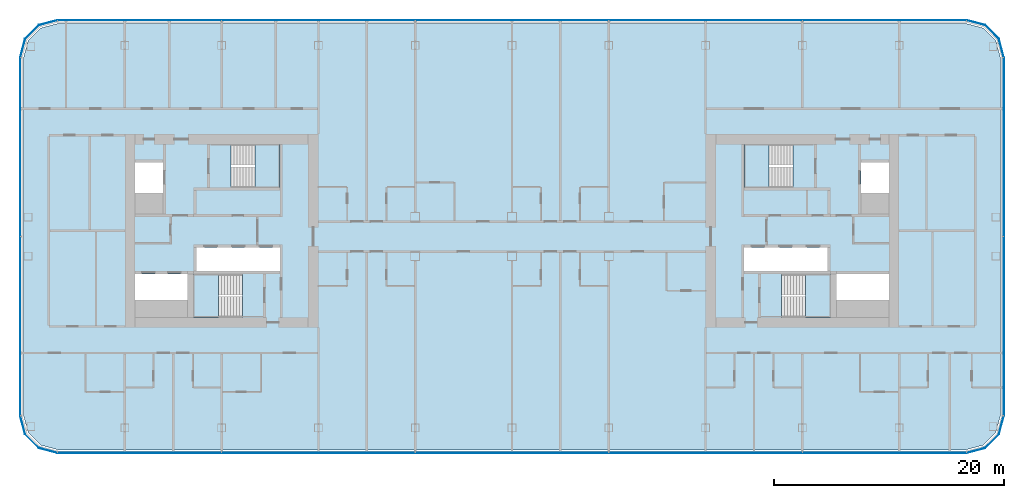
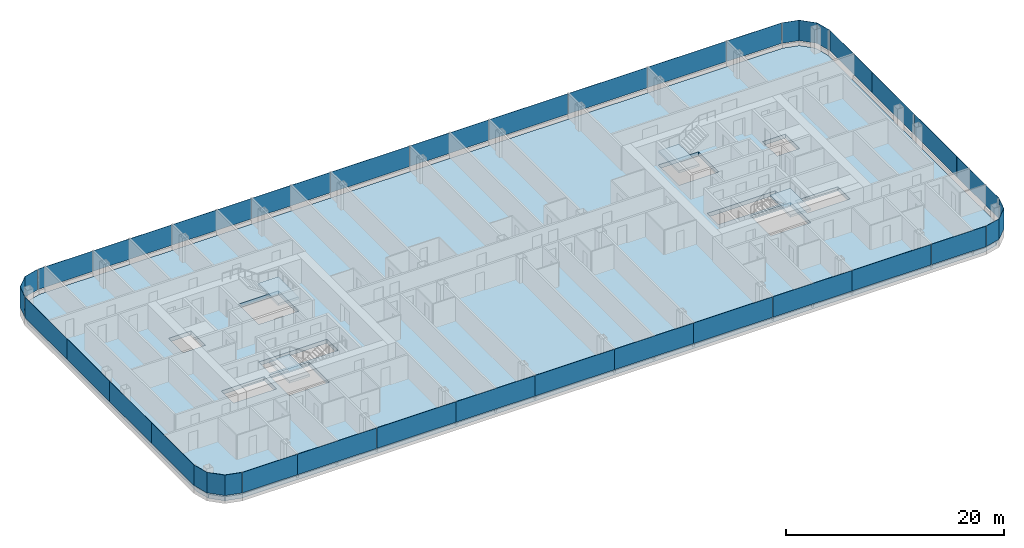
# One storey, part 11 of 26: 32 plates, 5 slabs, 12 elements without a shape of their own.
"""IFC4 building model written with IfcOpenShell, lengths in metres."""

from ifc_helpers import new_model, si_unit, direction, frame, origin, origin_2d, place, context, subcontext, project, spatial, polyline, rectangle, outline, extrude, material, layer, layer_set, type_object, element, aggregate, save


model = new_model("IFC4")

# Units and contexts
model_context = context("Model", 3, precision=1e-05, world=origin(), true_north=direction((0.0, 1.0)))
body_context = subcontext(model_context, "Body", "Model", "MODEL_VIEW")
ifc_project = project(units=[si_unit("LENGTHUNIT", "METRE"), si_unit("AREAUNIT", "SQUARE_METRE"), si_unit("VOLUMEUNIT", "CUBIC_METRE"), si_unit("PLANEANGLEUNIT", "RADIAN"), si_unit("MASSUNIT", "GRAM", prefix="KILO")], contexts=[model_context])

# Site, building, storey
site_placement = place(None, origin())
site = spatial("IfcSite", under=ifc_project, at=site_placement, CompositionType="ELEMENT")
building_placement = place(site_placement, origin())
building = spatial("IfcBuilding", under=site, at=building_placement, Name="Hakoniwa Tower and Hamabe Station Hall", CompositionType="ELEMENT")
storey_placement = place(building_placement, frame((0.0, 0.0, 140.60009765625)))
storey = spatial("IfcBuildingStorey", under=building, at=storey_placement, Name="L39", CompositionType="ELEMENT", Elevation=140.60009765625)

# Stair, slab
ifc_material_1 = material(Name="Concrete C40", Category="concrete")
stair_type = type_object("IfcStairType", Name="ESCAPE STAIR 1800", PredefinedType="HALF_TURN_STAIR", material=ifc_material_1)
stair_1_placement = place(storey_placement, origin())
stair_1 = element("IfcStair", 1, at=stair_1_placement, inside=storey, type_object=stair_type, Name="Escape stair ST-1 L39", PredefinedType="HALF_TURN_STAIR")
ifc_material_2 = material(Name="Concrete C40", Category="concrete")
ifc_layer_1 = layer(ifc_material_2, 0.25)
ifc_layer_set_1 = layer_set([ifc_layer_1], Name="CORE STAIR LANDING 250")
slab_type_1 = type_object("IfcSlabType", Name="CORE STAIR LANDING 250", PredefinedType="LANDING", material=ifc_layer_set_1)
slab_1_placement = place(storey_placement, frame((0.0, 0.0, 1.349853515625)))
slab_1 = element("IfcSlab", 2, at=slab_1_placement, type_object=slab_type_1, Name="ST-1 landing 1", PredefinedType="LANDING", context=body_context, shape_type="SweptSolid", body=[
    extrude(outline(polyline([(-22.320068359375, 3.75), (-20.14990234375, 3.75), (-20.14990234375, 7.5), (-22.320068359375, 7.5), (-22.320068359375, 3.75)])), origin(), (0.0, 0.0, 1.0), 0.25),
])
aggregate(stair_1, [slab_1])

stair_2_placement = place(storey_placement, origin())
stair_2 = element("IfcStair", 3, at=stair_2_placement, inside=storey, type_object=stair_type, Name="Escape stair ST-2 L39", PredefinedType="HALF_TURN_STAIR")
slab_2_placement = place(storey_placement, frame((0.0, 0.0, 1.349853515625)))
slab_2 = element("IfcSlab", 4, at=slab_2_placement, type_object=slab_type_1, Name="ST-2 landing 1", PredefinedType="LANDING", context=body_context, shape_type="SweptSolid", body=[
    extrude(outline(polyline([(-25.47998046875, -7.5), (-27.64990234375, -7.5), (-27.64990234375, -3.75), (-25.47998046875, -3.75), (-25.47998046875, -7.5)])), origin(), (0.0, 0.0, 1.0), 0.25),
])
aggregate(stair_2, [slab_2])

stair_3_placement = place(storey_placement, origin())
stair_3 = element("IfcStair", 5, at=stair_3_placement, inside=storey, type_object=stair_type, Name="Escape stair ST-3 L39", PredefinedType="HALF_TURN_STAIR")
slab_3_placement = place(storey_placement, frame((0.0, 0.0, 1.349853515625)))
slab_3 = element("IfcSlab", 6, at=slab_3_placement, type_object=slab_type_1, Name="ST-3 landing 1", PredefinedType="LANDING", context=body_context, shape_type="SweptSolid", body=[
    extrude(outline(polyline([(22.320068359375, 3.75), (20.14990234375, 3.75), (20.14990234375, 7.5), (22.320068359375, 7.5), (22.320068359375, 3.75)])), origin(), (0.0, 0.0, 1.0), 0.25),
])
aggregate(stair_3, [slab_3])

stair_4_placement = place(storey_placement, origin())
stair_4 = element("IfcStair", 7, at=stair_4_placement, inside=storey, type_object=stair_type, Name="Escape stair ST-4 L39", PredefinedType="HALF_TURN_STAIR")
slab_4_placement = place(storey_placement, frame((0.0, 0.0, 1.349853515625)))
slab_4 = element("IfcSlab", 8, at=slab_4_placement, type_object=slab_type_1, Name="ST-4 landing 1", PredefinedType="LANDING", context=body_context, shape_type="SweptSolid", body=[
    extrude(outline(polyline([(25.47998046875, -7.5), (27.64990234375, -7.5), (27.64990234375, -3.75), (25.47998046875, -3.75), (25.47998046875, -7.5)])), origin(), (0.0, 0.0, 1.0), 0.25),
])
aggregate(stair_4, [slab_4])

# Curtain wall, plates
ifc_material_3 = material(Name="Dark low-e laminated glass", Category="glass")
ifc_layer_2 = layer(ifc_material_3, 0.199951171875)
ifc_layer_set_2 = layer_set([ifc_layer_2], Name="CW-1 UNITISED GUEST")
curtain_wall_type = type_object("IfcCurtainWallType", Name="CW-1 UNITISED GUEST", PredefinedType="NOTDEFINED", material=ifc_layer_set_2)
curtain_wall_1_placement = place(storey_placement, origin())
curtain_wall_1 = element("IfcCurtainWall", 9, at=curtain_wall_1_placement, inside=storey, type_object=curtain_wall_type, Name="CW-1 curtain wall", PredefinedType="NOTDEFINED")
ifc_material_4 = material(Name="Dark low-e laminated glass", Category="glass")
ifc_layer_3 = layer(ifc_material_4, 0.028076171875)
ifc_layer_set_3 = layer_set([ifc_layer_3], Name="CW-1 GLASS UNIT")
plate_type = type_object("IfcPlateType", Name="CW-1 GLASS UNIT", PredefinedType="CURTAIN_PANEL", material=ifc_layer_set_3)
plate_1_placement = place(storey_placement, frame((42.68603515625, -12.154541015625, 0.35009765625), z_axis=(0.0, 0.0, 1.0), x_axis=(0.0, 1.0, 0.0)))
plate_1 = element("IfcPlate", 10, at=plate_1_placement, type_object=plate_type, Name="CW-1 glass unit", PredefinedType="CURTAIN_PANEL", context=body_context, shape_type="SweptSolid", body=[
    extrude(rectangle(XDim=7.749755859375, YDim=0.028076171875, at=origin_2d()), origin(), (0.0, 0.0, 1.0), 2.300048828125),
])
plate_2_placement = place(storey_placement, frame((42.68603515625, -4.384765625, 0.35009765625), z_axis=(0.0, 0.0, 1.0), x_axis=(0.0, 1.0, 0.0)))
plate_2 = element("IfcPlate", 11, at=plate_2_placement, type_object=plate_type, Name="CW-1 glass unit", PredefinedType="CURTAIN_PANEL", context=body_context, shape_type="SweptSolid", body=[
    extrude(rectangle(XDim=7.749755859375, YDim=0.028076171875, at=origin_2d()), origin(), (0.0, 0.0, 1.0), 2.300048828125),
])
plate_3_placement = place(storey_placement, frame((42.68603515625, 3.384765625, 0.35009765625), z_axis=(0.0, 0.0, 1.0), x_axis=(0.0, 1.0, 0.0)))
plate_3 = element("IfcPlate", 12, at=plate_3_placement, type_object=plate_type, Name="CW-1 glass unit", PredefinedType="CURTAIN_PANEL", context=body_context, shape_type="SweptSolid", body=[
    extrude(rectangle(XDim=7.749755859375, YDim=0.028076171875, at=origin_2d()), origin(), (0.0, 0.0, 1.0), 2.300048828125),
])
plate_4_placement = place(storey_placement, frame((42.68603515625, 11.154541015625, 0.35009765625), z_axis=(0.0, 0.0, 1.0), x_axis=(0.0, 1.0, 0.0)))
plate_4 = element("IfcPlate", 13, at=plate_4_placement, type_object=plate_type, Name="CW-1 glass unit", PredefinedType="CURTAIN_PANEL", context=body_context, shape_type="SweptSolid", body=[
    extrude(rectangle(XDim=7.749755859375, YDim=0.028076171875, at=origin_2d()), origin(), (0.0, 0.0, 1.0), 2.300048828125),
])
aggregate(curtain_wall_1, [plate_1, plate_2, plate_3, plate_4])

# Curtain wall, plate
curtain_wall_2_placement = place(storey_placement, origin())
curtain_wall_2 = element("IfcCurtainWall", 14, at=curtain_wall_2_placement, inside=storey, type_object=curtain_wall_type, Name="CW-1 curtain wall", PredefinedType="NOTDEFINED")
plate_5_placement = place(storey_placement, frame((0.0, 0.0, 0.349853515625)))
plate_5 = element("IfcPlate", 15, at=plate_5_placement, type_object=plate_type, Name="CW-1 curved corner unit", PredefinedType="CURTAIN_PANEL", context=body_context, shape_type="SweptSolid", body=[
    extrude(outline(polyline([(42.689697265625, 15.078125), (42.26708984375, 16.6552734375), (41.05517578125, 17.866943359375), (39.47802734375, 18.28955078125), (39.470947265625, 18.2626953125), (41.040771484375, 17.842041015625), (42.241943359375, 16.640869140625), (42.66259765625, 15.07080078125), (42.689697265625, 15.078125)])), origin(), (0.0, 0.0, 1.0), 2.300048828125),
])
aggregate(curtain_wall_2, [plate_5])

# Curtain wall, plates
curtain_wall_3_placement = place(storey_placement, origin())
curtain_wall_3 = element("IfcCurtainWall", 16, at=curtain_wall_3_placement, inside=storey, type_object=curtain_wall_type, Name="CW-1 curtain wall", PredefinedType="NOTDEFINED")
plate_6_placement = place(storey_placement, frame((36.519775390625, 18.285888671875, 0.35009765625), z_axis=(0.0, 0.0, 1.0), x_axis=(-1.0, 0.0, 0.0)))
plate_6 = element("IfcPlate", 17, at=plate_6_placement, type_object=plate_type, Name="CW-1 glass unit", PredefinedType="CURTAIN_PANEL", context=body_context, shape_type="SweptSolid", body=[
    extrude(rectangle(XDim=5.819580078125, YDim=0.028076171875, at=origin_2d()), origin(), (0.0, 0.0, 1.0), 2.300048828125),
])
plate_7_placement = place(storey_placement, frame((29.39990234375, 18.285888671875, 0.35009765625), z_axis=(0.0, 0.0, 1.0), x_axis=(-1.0, 0.0, 0.0)))
plate_7 = element("IfcPlate", 18, at=plate_7_placement, type_object=plate_type, Name="CW-1 glass unit", PredefinedType="CURTAIN_PANEL", context=body_context, shape_type="SweptSolid", body=[
    extrude(rectangle(XDim=8.3798828125, YDim=0.028076171875, at=origin_2d()), origin(), (0.0, 0.0, 1.0), 2.300048828125),
])
plate_8_placement = place(storey_placement, frame((21.0, 18.285888671875, 0.35009765625), z_axis=(0.0, 0.0, 1.0), x_axis=(-1.0, 0.0, 0.0)))
plate_8 = element("IfcPlate", 19, at=plate_8_placement, type_object=plate_type, Name="CW-1 glass unit", PredefinedType="CURTAIN_PANEL", context=body_context, shape_type="SweptSolid", body=[
    extrude(rectangle(XDim=8.3798828125, YDim=0.028076171875, at=origin_2d()), origin(), (0.0, 0.0, 1.0), 2.300048828125),
])
plate_9_placement = place(storey_placement, frame((12.60009765625, 18.285888671875, 0.35009765625), z_axis=(0.0, 0.0, 1.0), x_axis=(-1.0, 0.0, 0.0)))
plate_9 = element("IfcPlate", 20, at=plate_9_placement, type_object=plate_type, Name="CW-1 glass unit", PredefinedType="CURTAIN_PANEL", context=body_context, shape_type="SweptSolid", body=[
    extrude(rectangle(XDim=8.3798828125, YDim=0.028076171875, at=origin_2d()), origin(), (0.0, 0.0, 1.0), 2.300048828125),
])
plate_10_placement = place(storey_placement, frame((4.199951171875, 18.285888671875, 0.35009765625), z_axis=(0.0, 0.0, 1.0), x_axis=(-1.0, 0.0, 0.0)))
plate_10 = element("IfcPlate", 21, at=plate_10_placement, type_object=plate_type, Name="CW-1 glass unit", PredefinedType="CURTAIN_PANEL", context=body_context, shape_type="SweptSolid", body=[
    extrude(rectangle(XDim=8.3798828125, YDim=0.028076171875, at=origin_2d()), origin(), (0.0, 0.0, 1.0), 2.300048828125),
])
plate_11_placement = place(storey_placement, frame((-4.199951171875, 18.285888671875, 0.35009765625), z_axis=(0.0, 0.0, 1.0), x_axis=(-1.0, 0.0, 0.0)))
plate_11 = element("IfcPlate", 22, at=plate_11_placement, type_object=plate_type, Name="CW-1 glass unit", PredefinedType="CURTAIN_PANEL", context=body_context, shape_type="SweptSolid", body=[
    extrude(rectangle(XDim=8.3798828125, YDim=0.028076171875, at=origin_2d()), origin(), (0.0, 0.0, 1.0), 2.300048828125),
])
plate_12_placement = place(storey_placement, frame((-12.60009765625, 18.285888671875, 0.35009765625), z_axis=(0.0, 0.0, 1.0), x_axis=(-1.0, 0.0, 0.0)))
plate_12 = element("IfcPlate", 23, at=plate_12_placement, type_object=plate_type, Name="CW-1 glass unit", PredefinedType="CURTAIN_PANEL", context=body_context, shape_type="SweptSolid", body=[
    extrude(rectangle(XDim=8.3798828125, YDim=0.028076171875, at=origin_2d()), origin(), (0.0, 0.0, 1.0), 2.300048828125),
])
plate_13_placement = place(storey_placement, frame((-21.0, 18.285888671875, 0.35009765625), z_axis=(0.0, 0.0, 1.0), x_axis=(-1.0, 0.0, 0.0)))
plate_13 = element("IfcPlate", 24, at=plate_13_placement, type_object=plate_type, Name="CW-1 glass unit", PredefinedType="CURTAIN_PANEL", context=body_context, shape_type="SweptSolid", body=[
    extrude(rectangle(XDim=8.3798828125, YDim=0.028076171875, at=origin_2d()), origin(), (0.0, 0.0, 1.0), 2.300048828125),
])
plate_14_placement = place(storey_placement, frame((-29.39990234375, 18.285888671875, 0.35009765625), z_axis=(0.0, 0.0, 1.0), x_axis=(-1.0, 0.0, 0.0)))
plate_14 = element("IfcPlate", 25, at=plate_14_placement, type_object=plate_type, Name="CW-1 glass unit", PredefinedType="CURTAIN_PANEL", context=body_context, shape_type="SweptSolid", body=[
    extrude(rectangle(XDim=8.3798828125, YDim=0.028076171875, at=origin_2d()), origin(), (0.0, 0.0, 1.0), 2.300048828125),
])
plate_15_placement = place(storey_placement, frame((-36.519775390625, 18.285888671875, 0.35009765625), z_axis=(0.0, 0.0, 1.0), x_axis=(-1.0, 0.0, 0.0)))
plate_15 = element("IfcPlate", 26, at=plate_15_placement, type_object=plate_type, Name="CW-1 glass unit", PredefinedType="CURTAIN_PANEL", context=body_context, shape_type="SweptSolid", body=[
    extrude(rectangle(XDim=5.819580078125, YDim=0.028076171875, at=origin_2d()), origin(), (0.0, 0.0, 1.0), 2.300048828125),
])
aggregate(curtain_wall_3, [plate_6, plate_7, plate_8, plate_9, plate_10, plate_11, plate_12, plate_13, plate_14, plate_15])

# Curtain wall, plate
curtain_wall_4_placement = place(storey_placement, origin())
curtain_wall_4 = element("IfcCurtainWall", 27, at=curtain_wall_4_placement, inside=storey, type_object=curtain_wall_type, Name="CW-1 curtain wall", PredefinedType="NOTDEFINED")
plate_16_placement = place(storey_placement, frame((0.0, 0.0, 0.349853515625)))
plate_16 = element("IfcPlate", 28, at=plate_16_placement, type_object=plate_type, Name="CW-1 curved corner unit", PredefinedType="CURTAIN_PANEL", context=body_context, shape_type="SweptSolid", body=[
    extrude(outline(polyline([(-39.47802734375, 18.28955078125), (-41.05517578125, 17.866943359375), (-42.26708984375, 16.6552734375), (-42.689697265625, 15.078125), (-42.66259765625, 15.07080078125), (-42.241943359375, 16.640869140625), (-41.040771484375, 17.842041015625), (-39.470947265625, 18.2626953125), (-39.47802734375, 18.28955078125)])), origin(), (0.0, 0.0, 1.0), 2.300048828125),
])
aggregate(curtain_wall_4, [plate_16])

# Curtain wall, plates
curtain_wall_5_placement = place(storey_placement, origin())
curtain_wall_5 = element("IfcCurtainWall", 29, at=curtain_wall_5_placement, inside=storey, type_object=curtain_wall_type, Name="CW-1 curtain wall", PredefinedType="NOTDEFINED")
plate_17_placement = place(storey_placement, frame((-42.68603515625, 11.154541015625, 0.35009765625), z_axis=(0.0, 0.0, 1.0), x_axis=(0.0, -1.0, 0.0)))
plate_17 = element("IfcPlate", 30, at=plate_17_placement, type_object=plate_type, Name="CW-1 glass unit", PredefinedType="CURTAIN_PANEL", context=body_context, shape_type="SweptSolid", body=[
    extrude(rectangle(XDim=7.749755859375, YDim=0.028076171875, at=origin_2d()), origin(), (0.0, 0.0, 1.0), 2.300048828125),
])
plate_18_placement = place(storey_placement, frame((-42.68603515625, 3.384765625, 0.35009765625), z_axis=(0.0, 0.0, 1.0), x_axis=(0.0, -1.0, 0.0)))
plate_18 = element("IfcPlate", 31, at=plate_18_placement, type_object=plate_type, Name="CW-1 glass unit", PredefinedType="CURTAIN_PANEL", context=body_context, shape_type="SweptSolid", body=[
    extrude(rectangle(XDim=7.749755859375, YDim=0.028076171875, at=origin_2d()), origin(), (0.0, 0.0, 1.0), 2.300048828125),
])
plate_19_placement = place(storey_placement, frame((-42.68603515625, -4.384765625, 0.35009765625), z_axis=(0.0, 0.0, 1.0), x_axis=(0.0, -1.0, 0.0)))
plate_19 = element("IfcPlate", 32, at=plate_19_placement, type_object=plate_type, Name="CW-1 glass unit", PredefinedType="CURTAIN_PANEL", context=body_context, shape_type="SweptSolid", body=[
    extrude(rectangle(XDim=7.749755859375, YDim=0.028076171875, at=origin_2d()), origin(), (0.0, 0.0, 1.0), 2.300048828125),
])
plate_20_placement = place(storey_placement, frame((-42.68603515625, -12.154541015625, 0.35009765625), z_axis=(0.0, 0.0, 1.0), x_axis=(0.0, -1.0, 0.0)))
plate_20 = element("IfcPlate", 33, at=plate_20_placement, type_object=plate_type, Name="CW-1 glass unit", PredefinedType="CURTAIN_PANEL", context=body_context, shape_type="SweptSolid", body=[
    extrude(rectangle(XDim=7.749755859375, YDim=0.028076171875, at=origin_2d()), origin(), (0.0, 0.0, 1.0), 2.300048828125),
])
aggregate(curtain_wall_5, [plate_17, plate_18, plate_19, plate_20])

# Curtain wall, plate
curtain_wall_6_placement = place(storey_placement, origin())
curtain_wall_6 = element("IfcCurtainWall", 34, at=curtain_wall_6_placement, inside=storey, type_object=curtain_wall_type, Name="CW-1 curtain wall", PredefinedType="NOTDEFINED")
plate_21_placement = place(storey_placement, frame((0.0, 0.0, 0.349853515625)))
plate_21 = element("IfcPlate", 35, at=plate_21_placement, type_object=plate_type, Name="CW-1 curved corner unit", PredefinedType="CURTAIN_PANEL", context=body_context, shape_type="SweptSolid", body=[
    extrude(outline(polyline([(-42.689697265625, -16.078125), (-42.26708984375, -17.6552734375), (-41.05517578125, -18.866943359375), (-39.47802734375, -19.28955078125), (-39.470947265625, -19.2626953125), (-41.040771484375, -18.842041015625), (-42.241943359375, -17.640869140625), (-42.66259765625, -16.07080078125), (-42.689697265625, -16.078125)])), origin(), (0.0, 0.0, 1.0), 2.300048828125),
])
aggregate(curtain_wall_6, [plate_21])

# Curtain wall, plates
curtain_wall_7_placement = place(storey_placement, origin())
curtain_wall_7 = element("IfcCurtainWall", 36, at=curtain_wall_7_placement, inside=storey, type_object=curtain_wall_type, Name="CW-1 curtain wall", PredefinedType="NOTDEFINED")
plate_22_placement = place(storey_placement, frame((-36.519775390625, -19.285888671875, 0.35009765625), z_axis=(0.0, 0.0, 1.0), x_axis=(1.0, 0.0, 0.0)))
plate_22 = element("IfcPlate", 37, at=plate_22_placement, type_object=plate_type, Name="CW-1 glass unit", PredefinedType="CURTAIN_PANEL", context=body_context, shape_type="SweptSolid", body=[
    extrude(rectangle(XDim=5.819580078125, YDim=0.028076171875, at=origin_2d()), origin(), (0.0, 0.0, 1.0), 2.300048828125),
])
plate_23_placement = place(storey_placement, frame((-29.39990234375, -19.285888671875, 0.35009765625), z_axis=(0.0, 0.0, 1.0), x_axis=(1.0, 0.0, 0.0)))
plate_23 = element("IfcPlate", 38, at=plate_23_placement, type_object=plate_type, Name="CW-1 glass unit", PredefinedType="CURTAIN_PANEL", context=body_context, shape_type="SweptSolid", body=[
    extrude(rectangle(XDim=8.3798828125, YDim=0.028076171875, at=origin_2d()), origin(), (0.0, 0.0, 1.0), 2.300048828125),
])
plate_24_placement = place(storey_placement, frame((-21.0, -19.285888671875, 0.35009765625), z_axis=(0.0, 0.0, 1.0), x_axis=(1.0, 0.0, 0.0)))
plate_24 = element("IfcPlate", 39, at=plate_24_placement, type_object=plate_type, Name="CW-1 glass unit", PredefinedType="CURTAIN_PANEL", context=body_context, shape_type="SweptSolid", body=[
    extrude(rectangle(XDim=8.3798828125, YDim=0.028076171875, at=origin_2d()), origin(), (0.0, 0.0, 1.0), 2.300048828125),
])
plate_25_placement = place(storey_placement, frame((-12.60009765625, -19.285888671875, 0.35009765625), z_axis=(0.0, 0.0, 1.0), x_axis=(1.0, 0.0, 0.0)))
plate_25 = element("IfcPlate", 40, at=plate_25_placement, type_object=plate_type, Name="CW-1 glass unit", PredefinedType="CURTAIN_PANEL", context=body_context, shape_type="SweptSolid", body=[
    extrude(rectangle(XDim=8.3798828125, YDim=0.028076171875, at=origin_2d()), origin(), (0.0, 0.0, 1.0), 2.300048828125),
])
plate_26_placement = place(storey_placement, frame((-4.199951171875, -19.285888671875, 0.35009765625), z_axis=(0.0, 0.0, 1.0), x_axis=(1.0, 0.0, 0.0)))
plate_26 = element("IfcPlate", 41, at=plate_26_placement, type_object=plate_type, Name="CW-1 glass unit", PredefinedType="CURTAIN_PANEL", context=body_context, shape_type="SweptSolid", body=[
    extrude(rectangle(XDim=8.3798828125, YDim=0.028076171875, at=origin_2d()), origin(), (0.0, 0.0, 1.0), 2.300048828125),
])
plate_27_placement = place(storey_placement, frame((4.199951171875, -19.285888671875, 0.35009765625), z_axis=(0.0, 0.0, 1.0), x_axis=(1.0, 0.0, 0.0)))
plate_27 = element("IfcPlate", 42, at=plate_27_placement, type_object=plate_type, Name="CW-1 glass unit", PredefinedType="CURTAIN_PANEL", context=body_context, shape_type="SweptSolid", body=[
    extrude(rectangle(XDim=8.3798828125, YDim=0.028076171875, at=origin_2d()), origin(), (0.0, 0.0, 1.0), 2.300048828125),
])
plate_28_placement = place(storey_placement, frame((12.60009765625, -19.285888671875, 0.35009765625), z_axis=(0.0, 0.0, 1.0), x_axis=(1.0, 0.0, 0.0)))
plate_28 = element("IfcPlate", 43, at=plate_28_placement, type_object=plate_type, Name="CW-1 glass unit", PredefinedType="CURTAIN_PANEL", context=body_context, shape_type="SweptSolid", body=[
    extrude(rectangle(XDim=8.3798828125, YDim=0.028076171875, at=origin_2d()), origin(), (0.0, 0.0, 1.0), 2.300048828125),
])
plate_29_placement = place(storey_placement, frame((21.0, -19.285888671875, 0.35009765625), z_axis=(0.0, 0.0, 1.0), x_axis=(1.0, 0.0, 0.0)))
plate_29 = element("IfcPlate", 44, at=plate_29_placement, type_object=plate_type, Name="CW-1 glass unit", PredefinedType="CURTAIN_PANEL", context=body_context, shape_type="SweptSolid", body=[
    extrude(rectangle(XDim=8.3798828125, YDim=0.028076171875, at=origin_2d()), origin(), (0.0, 0.0, 1.0), 2.300048828125),
])
plate_30_placement = place(storey_placement, frame((29.39990234375, -19.285888671875, 0.35009765625), z_axis=(0.0, 0.0, 1.0), x_axis=(1.0, 0.0, 0.0)))
plate_30 = element("IfcPlate", 45, at=plate_30_placement, type_object=plate_type, Name="CW-1 glass unit", PredefinedType="CURTAIN_PANEL", context=body_context, shape_type="SweptSolid", body=[
    extrude(rectangle(XDim=8.3798828125, YDim=0.028076171875, at=origin_2d()), origin(), (0.0, 0.0, 1.0), 2.300048828125),
])
plate_31_placement = place(storey_placement, frame((36.519775390625, -19.285888671875, 0.35009765625), z_axis=(0.0, 0.0, 1.0), x_axis=(1.0, 0.0, 0.0)))
plate_31 = element("IfcPlate", 46, at=plate_31_placement, type_object=plate_type, Name="CW-1 glass unit", PredefinedType="CURTAIN_PANEL", context=body_context, shape_type="SweptSolid", body=[
    extrude(rectangle(XDim=5.819580078125, YDim=0.028076171875, at=origin_2d()), origin(), (0.0, 0.0, 1.0), 2.300048828125),
])
aggregate(curtain_wall_7, [plate_22, plate_23, plate_24, plate_25, plate_26, plate_27, plate_28, plate_29, plate_30, plate_31])

# Curtain wall, plate
curtain_wall_8_placement = place(storey_placement, origin())
curtain_wall_8 = element("IfcCurtainWall", 47, at=curtain_wall_8_placement, inside=storey, type_object=curtain_wall_type, Name="CW-1 curtain wall", PredefinedType="NOTDEFINED")
plate_32_placement = place(storey_placement, frame((0.0, 0.0, 0.349853515625)))
plate_32 = element("IfcPlate", 48, at=plate_32_placement, type_object=plate_type, Name="CW-1 curved corner unit", PredefinedType="CURTAIN_PANEL", context=body_context, shape_type="SweptSolid", body=[
    extrude(outline(polyline([(39.47802734375, -19.28955078125), (41.05517578125, -18.866943359375), (42.26708984375, -17.6552734375), (42.689697265625, -16.078125), (42.66259765625, -16.07080078125), (42.241943359375, -17.640869140625), (41.040771484375, -18.842041015625), (39.470947265625, -19.2626953125), (39.47802734375, -19.28955078125)])), origin(), (0.0, 0.0, 1.0), 2.300048828125),
])
aggregate(curtain_wall_8, [plate_32])

# Slab
ifc_material_5 = material(Name="Concrete C42", Category="concrete")
ifc_layer_4 = layer(ifc_material_5, 0.449951171875)
ifc_layer_set_4 = layer_set([ifc_layer_4], Name="PT FLAT PLATE 450")
slab_type_2 = type_object("IfcSlabType", Name="PT FLAT PLATE 450", PredefinedType="FLOOR", material=ifc_layer_set_4)
slab_5_placement = place(storey_placement, frame((0.0, 0.0, -0.4501953125)))
element("IfcSlab", 49, at=slab_5_placement, inside=storey, type_object=slab_type_2, Name="Floor slab L39", PredefinedType="FLOOR", context=body_context, shape_type="SweptSolid", body=[
    extrude(outline(polyline([(42.39990234375, -16.0), (42.39990234375, 15.0), (41.998046875, 16.5), (40.89990234375, 17.59814453125), (39.39990234375, 18.0), (-39.39990234375, 18.0), (-40.89990234375, 17.59814453125), (-41.998046875, 16.5), (-42.39990234375, 15.0), (-42.39990234375, -16.0), (-41.998046875, -17.5), (-40.89990234375, -18.59814453125), (-39.39990234375, -19.0), (39.39990234375, -19.0), (40.89990234375, -18.59814453125), (41.998046875, -17.5), (42.39990234375, -16.0)]), holes=[polyline([(-27.39990234375, -3.5), (-27.39990234375, -1.449951171875), (-20.14990234375, -1.449951171875), (-20.14990234375, -3.5), (-27.39990234375, -3.5)]), polyline([(-32.699951171875, 3.300048828125), (-32.699951171875, 5.949951171875), (-30.300048828125, 5.949951171875), (-30.300048828125, 3.300048828125), (-32.699951171875, 3.300048828125)]), polyline([(-32.699951171875, -6.0), (-32.699951171875, -3.75), (-28.14990234375, -3.75), (-28.14990234375, -6.0), (-32.699951171875, -6.0)]), polyline([(-24.389892578125, 3.75), (-24.389892578125, 7.5), (-20.14990234375, 7.5), (-20.14990234375, 3.75), (-24.389892578125, 3.75)]), polyline([(-27.64990234375, -7.5), (-27.64990234375, -3.75), (-23.409912109375, -3.75), (-23.409912109375, -7.5), (-27.64990234375, -7.5)]), polyline([(20.14990234375, -3.5), (20.14990234375, -1.449951171875), (27.39990234375, -1.449951171875), (27.39990234375, -3.5), (20.14990234375, -3.5)]), polyline([(30.300048828125, 3.300048828125), (30.300048828125, 5.949951171875), (32.699951171875, 5.949951171875), (32.699951171875, 3.300048828125), (30.300048828125, 3.300048828125)]), polyline([(28.14990234375, -6.0), (28.14990234375, -3.75), (32.699951171875, -3.75), (32.699951171875, -6.0), (28.14990234375, -6.0)]), polyline([(20.14990234375, 3.75), (20.14990234375, 7.5), (24.389892578125, 7.5), (24.389892578125, 3.75), (20.14990234375, 3.75)]), polyline([(23.409912109375, -7.5), (23.409912109375, -3.75), (27.64990234375, -3.75), (27.64990234375, -7.5), (23.409912109375, -7.5)])]), origin(), (0.0, 0.0, 1.0), 0.4501953125),
])

save(model, "model.ifc")
